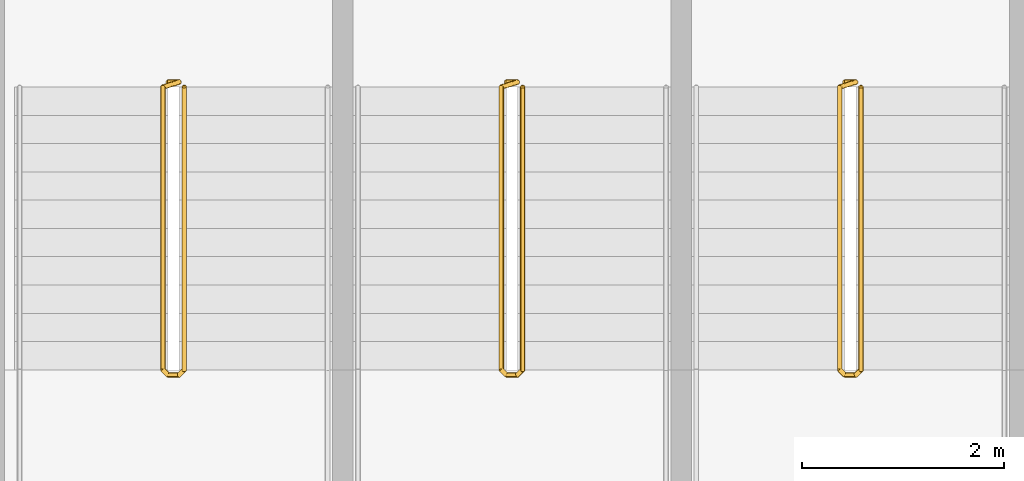
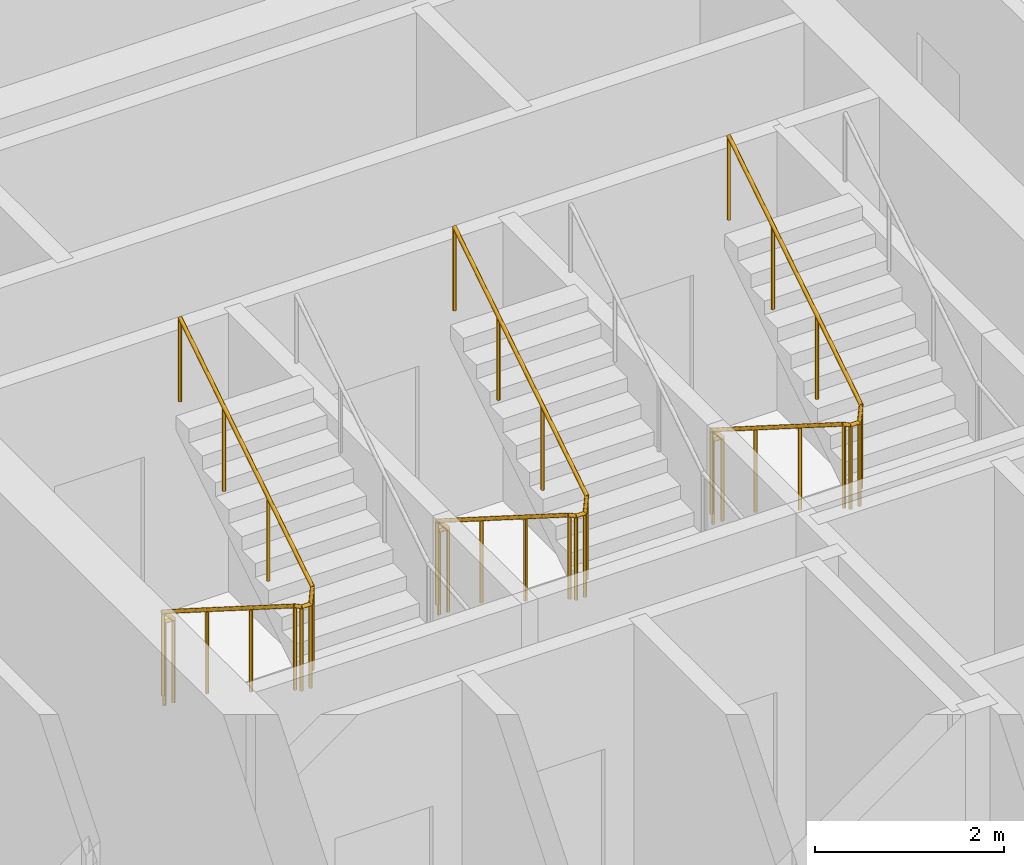
# One storey, part 13 of 13: 3 railings.
"""IFC4 building model written with IfcOpenShell, lengths in metres."""

from ifc_helpers import new_model, si_unit, direction, frame, origin, origin_2d, place, context, subcontext, project, spatial, circle, extrude, material, type_object, element, save


model = new_model("IFC4")

# Units and contexts
model_context = context("Model", 3, precision=1e-05, world=origin(), true_north=direction((0.0, 1.0)))
body_context = subcontext(model_context, "Body", "Model", "MODEL_VIEW")
ifc_project = project(units=[si_unit("LENGTHUNIT", "METRE"), si_unit("AREAUNIT", "SQUARE_METRE"), si_unit("VOLUMEUNIT", "CUBIC_METRE"), si_unit("PLANEANGLEUNIT", "RADIAN"), si_unit("MASSUNIT", "GRAM", prefix="KILO")], contexts=[model_context])

# Site, building, storey
site_placement = place(None, origin())
site = spatial("IfcSite", under=ifc_project, at=site_placement, CompositionType="ELEMENT")
building_placement = place(site_placement, origin())
building = spatial("IfcBuilding", under=site, at=building_placement, Name="Tessera Arch", CompositionType="ELEMENT")
storey_placement = place(building_placement, frame((0.0, 0.0, 162.199951171875)))
storey = spatial("IfcBuildingStorey", under=building, at=storey_placement, Name="L38", CompositionType="ELEMENT", Elevation=162.199951171875)

# Railings
ifc_material = material(Name="Painted steel balustrade", Category="steel")
railing_type = type_object("IfcRailingType", Name="Stair guard 1100", PredefinedType="GUARDRAIL", material=ifc_material)
railing_1_placement = place(storey_placement, frame((38.219970703125, 43.6298828125, 0.0)))
element("IfcRailing", 1, at=railing_1_placement, inside=storey, type_object=railing_type, Name="L38 S1a stair guard 1", PredefinedType="GUARDRAIL", context=body_context, shape_type="SweptSolid", body=[
    extrude(circle(Radius=0.02392578125, at=origin_2d()), frame((-0.00390625, 0.0, 1.076171875), z_axis=(1.0, 0.0, 0.0), x_axis=(0.0, 1.0, 0.0)), (0.0, 0.0, 1.0), 0.1181640625),
    extrude(circle(Radius=0.02392578125, at=origin_2d()), frame((0.11279296875, 0.000732421875, 1.0732421875), z_axis=(-0.656319048605, -0.204099216335, 0.726353093426), x_axis=(0.296948579431, -0.954893471113, 0.0)), (0.0, 0.0, 1.0), 0.251953125),
    extrude(circle(Radius=0.02392578125, at=origin_2d()), frame((-0.050048828125, -0.04638671875, 1.251220703125), z_axis=(0.0, -0.844908973607, 0.534910110503), x_axis=(1.0, 0.0, 0.0)), (0.0, 0.0, 1.0), 3.322021484375),
    extrude(circle(Radius=0.02392578125, at=origin_2d()), frame((-0.052978515625, -2.846923828125, 3.02587890625), z_axis=(0.707106781187, -0.707106781187, 0.0), x_axis=(0.707106781187, 0.707106781187, 0.0)), (0.0, 0.0, 1.0), 0.078857421875),
    extrude(circle(Radius=0.02392578125, at=origin_2d()), frame((-0.00390625, -2.89990234375, 3.02587890625), z_axis=(1.0, 0.0, 0.0), x_axis=(0.0, 1.0, 0.0)), (0.0, 0.0, 1.0), 0.1181640625),
    extrude(circle(Radius=0.02392578125, at=origin_2d()), frame((0.109130859375, -2.90087890625, 3.022216796875), z_axis=(0.260731885961, 0.262009983441, 0.929176868105), x_axis=(-0.708833529934, 0.705375805398, 0.0)), (0.0, 0.0, 1.0), 0.198974609375),
    extrude(circle(Radius=0.02392578125, at=origin_2d()), frame((0.159912109375, -2.853271484375, 3.201416015625), z_axis=(0.0, 0.844908973607, 0.534910110503), x_axis=(-1.0, 0.0, 0.0)), (0.0, 0.0, 1.0), 3.322021484375),
    extrude(circle(Radius=0.02099609375, at=origin_2d()), origin(), (0.0, 0.0, 1.0), 1.06396484375),
    extrude(circle(Radius=0.02099609375, at=origin_2d()), frame((0.110107421875, 0.0, 0.0)), (0.0, 0.0, 1.0), 1.06396484375),
    extrude(circle(Radius=0.02099609375, at=origin_2d()), frame((-0.050048828125, -0.0498046875, 0.17724609375)), (0.0, 0.0, 1.0), 1.06396484375),
    extrude(circle(Radius=0.02099609375, at=origin_2d()), frame((-0.050048828125, -0.983154296875, 0.76806640625)), (0.0, 0.0, 1.0), 1.06396484375),
    extrude(circle(Radius=0.02099609375, at=origin_2d()), frame((-0.050048828125, -1.91650390625, 1.359130859375)), (0.0, 0.0, 1.0), 1.06396484375),
    extrude(circle(Radius=0.02099609375, at=origin_2d()), frame((-0.050048828125, -2.849853515625, 1.949951171875)), (0.0, 0.0, 1.0), 1.06396484375),
    extrude(circle(Radius=0.02099609375, at=origin_2d()), frame((0.0, -2.89990234375, 1.949951171875)), (0.0, 0.0, 1.0), 1.06396484375),
    extrude(circle(Radius=0.02099609375, at=origin_2d()), frame((0.110107421875, -2.89990234375, 1.949951171875)), (0.0, 0.0, 1.0), 1.06396484375),
    extrude(circle(Radius=0.02099609375, at=origin_2d()), frame((0.159912109375, -2.849853515625, 2.12744140625)), (0.0, 0.0, 1.0), 1.06396484375),
    extrude(circle(Radius=0.02099609375, at=origin_2d()), frame((0.159912109375, -1.91650390625, 2.71826171875)), (0.0, 0.0, 1.0), 1.06396484375),
    extrude(circle(Radius=0.02099609375, at=origin_2d()), frame((0.159912109375, -0.983154296875, 3.309326171875)), (0.0, 0.0, 1.0), 1.06396484375),
    extrude(circle(Radius=0.02099609375, at=origin_2d()), frame((0.159912109375, -0.0498046875, 3.900146484375)), (0.0, 0.0, 1.0), 1.06396484375),
])
railing_2_placement = place(storey_placement, frame((41.570068359375, 43.6298828125, 0.0)))
element("IfcRailing", 2, at=railing_2_placement, inside=storey, type_object=railing_type, Name="L38 S1b stair guard 1", PredefinedType="GUARDRAIL", context=body_context, shape_type="SweptSolid", body=[
    extrude(circle(Radius=0.02392578125, at=origin_2d()), frame((-0.00390625, 0.0, 1.076171875), z_axis=(1.0, 0.0, 0.0), x_axis=(0.0, 1.0, 0.0)), (0.0, 0.0, 1.0), 0.117919921875),
    extrude(circle(Radius=0.02392578125, at=origin_2d()), frame((0.112548828125, 0.000732421875, 1.0732421875), z_axis=(-0.65574896516, -0.204233265485, 0.726830150696), x_axis=(0.297361876254, -0.954764847777, 0.0)), (0.0, 0.0, 1.0), 0.251953125),
    extrude(circle(Radius=0.02392578125, at=origin_2d()), frame((-0.050048828125, -0.04638671875, 1.251220703125), z_axis=(0.0, -0.844908973607, 0.534910110503), x_axis=(1.0, 0.0, 0.0)), (0.0, 0.0, 1.0), 3.322021484375),
    extrude(circle(Radius=0.02392578125, at=origin_2d()), frame((-0.052978515625, -2.846923828125, 3.02587890625), z_axis=(0.707106781187, -0.707106781187, 0.0), x_axis=(0.707106781187, 0.707106781187, 0.0)), (0.0, 0.0, 1.0), 0.078857421875),
    extrude(circle(Radius=0.02392578125, at=origin_2d()), frame((-0.00390625, -2.89990234375, 3.02587890625), z_axis=(1.0, 0.0, 0.0), x_axis=(0.0, 1.0, 0.0)), (0.0, 0.0, 1.0), 0.117919921875),
    extrude(circle(Radius=0.02392578125, at=origin_2d()), frame((0.10888671875, -2.90087890625, 3.022216796875), z_axis=(0.261922500866, 0.261922500866, 0.928866625022), x_axis=(-0.707106781187, 0.707106781187, 0.0)), (0.0, 0.0, 1.0), 0.198974609375),
    extrude(circle(Radius=0.02392578125, at=origin_2d()), frame((0.159912109375, -2.853271484375, 3.201416015625), z_axis=(0.0, 0.844908973607, 0.534910110503), x_axis=(-1.0, 0.0, 0.0)), (0.0, 0.0, 1.0), 3.322021484375),
    extrude(circle(Radius=0.02099609375, at=origin_2d()), origin(), (0.0, 0.0, 1.0), 1.06396484375),
    extrude(circle(Radius=0.02099609375, at=origin_2d()), frame((0.10986328125, 0.0, 0.0)), (0.0, 0.0, 1.0), 1.06396484375),
    extrude(circle(Radius=0.02099609375, at=origin_2d()), frame((-0.050048828125, -0.0498046875, 0.17724609375)), (0.0, 0.0, 1.0), 1.06396484375),
    extrude(circle(Radius=0.02099609375, at=origin_2d()), frame((-0.050048828125, -0.983154296875, 0.76806640625)), (0.0, 0.0, 1.0), 1.06396484375),
    extrude(circle(Radius=0.02099609375, at=origin_2d()), frame((-0.050048828125, -1.91650390625, 1.359130859375)), (0.0, 0.0, 1.0), 1.06396484375),
    extrude(circle(Radius=0.02099609375, at=origin_2d()), frame((-0.050048828125, -2.849853515625, 1.949951171875)), (0.0, 0.0, 1.0), 1.06396484375),
    extrude(circle(Radius=0.02099609375, at=origin_2d()), frame((0.0, -2.89990234375, 1.949951171875)), (0.0, 0.0, 1.0), 1.06396484375),
    extrude(circle(Radius=0.02099609375, at=origin_2d()), frame((0.10986328125, -2.89990234375, 1.949951171875)), (0.0, 0.0, 1.0), 1.06396484375),
    extrude(circle(Radius=0.02099609375, at=origin_2d()), frame((0.159912109375, -2.849853515625, 2.12744140625)), (0.0, 0.0, 1.0), 1.06396484375),
    extrude(circle(Radius=0.02099609375, at=origin_2d()), frame((0.159912109375, -1.91650390625, 2.71826171875)), (0.0, 0.0, 1.0), 1.06396484375),
    extrude(circle(Radius=0.02099609375, at=origin_2d()), frame((0.159912109375, -0.983154296875, 3.309326171875)), (0.0, 0.0, 1.0), 1.06396484375),
    extrude(circle(Radius=0.02099609375, at=origin_2d()), frame((0.159912109375, -0.0498046875, 3.900146484375)), (0.0, 0.0, 1.0), 1.06396484375),
])
railing_3_placement = place(storey_placement, frame((44.919921875, 43.6298828125, 0.0)))
element("IfcRailing", 3, at=railing_3_placement, inside=storey, type_object=railing_type, Name="L38 S1c stair guard 1", PredefinedType="GUARDRAIL", context=body_context, shape_type="SweptSolid", body=[
    extrude(circle(Radius=0.02392578125, at=origin_2d()), frame((-0.00390625, 0.0, 1.076171875), z_axis=(1.0, 0.0, 0.0), x_axis=(0.0, 1.0, 0.0)), (0.0, 0.0, 1.0), 0.1181640625),
    extrude(circle(Radius=0.02392578125, at=origin_2d()), frame((0.11279296875, 0.000732421875, 1.0732421875), z_axis=(-0.65574896516, -0.204233265485, 0.726830150696), x_axis=(0.297361876254, -0.954764847777, 0.0)), (0.0, 0.0, 1.0), 0.251953125),
    extrude(circle(Radius=0.02392578125, at=origin_2d()), frame((-0.0498046875, -0.04638671875, 1.251220703125), z_axis=(0.0, -0.844908973607, 0.534910110503), x_axis=(1.0, 0.0, 0.0)), (0.0, 0.0, 1.0), 3.322021484375),
    extrude(circle(Radius=0.02392578125, at=origin_2d()), frame((-0.052734375, -2.846923828125, 3.02587890625), z_axis=(0.705375805398, -0.708833529934, 0.0), x_axis=(0.708833529934, 0.705375805398, 0.0)), (0.0, 0.0, 1.0), 0.07861328125),
    extrude(circle(Radius=0.02392578125, at=origin_2d()), frame((-0.00390625, -2.89990234375, 3.02587890625), z_axis=(1.0, 0.0, 0.0), x_axis=(0.0, 1.0, 0.0)), (0.0, 0.0, 1.0), 0.1181640625),
    extrude(circle(Radius=0.02392578125, at=origin_2d()), frame((0.109130859375, -2.90087890625, 3.022216796875), z_axis=(0.261922500866, 0.261922500866, 0.928866625022), x_axis=(-0.707106781187, 0.707106781187, 0.0)), (0.0, 0.0, 1.0), 0.198974609375),
    extrude(circle(Radius=0.02392578125, at=origin_2d()), frame((0.16015625, -2.853271484375, 3.201416015625), z_axis=(0.0, 0.844908973607, 0.534910110503), x_axis=(-1.0, 0.0, 0.0)), (0.0, 0.0, 1.0), 3.322021484375),
    extrude(circle(Radius=0.02099609375, at=origin_2d()), origin(), (0.0, 0.0, 1.0), 1.06396484375),
    extrude(circle(Radius=0.02099609375, at=origin_2d()), frame((0.110107421875, 0.0, 0.0)), (0.0, 0.0, 1.0), 1.06396484375),
    extrude(circle(Radius=0.02099609375, at=origin_2d()), frame((-0.0498046875, -0.0498046875, 0.17724609375)), (0.0, 0.0, 1.0), 1.06396484375),
    extrude(circle(Radius=0.02099609375, at=origin_2d()), frame((-0.0498046875, -0.983154296875, 0.76806640625)), (0.0, 0.0, 1.0), 1.06396484375),
    extrude(circle(Radius=0.02099609375, at=origin_2d()), frame((-0.0498046875, -1.91650390625, 1.359130859375)), (0.0, 0.0, 1.0), 1.06396484375),
    extrude(circle(Radius=0.02099609375, at=origin_2d()), frame((-0.0498046875, -2.849853515625, 1.949951171875)), (0.0, 0.0, 1.0), 1.06396484375),
    extrude(circle(Radius=0.02099609375, at=origin_2d()), frame((0.0, -2.89990234375, 1.949951171875)), (0.0, 0.0, 1.0), 1.06396484375),
    extrude(circle(Radius=0.02099609375, at=origin_2d()), frame((0.110107421875, -2.89990234375, 1.949951171875)), (0.0, 0.0, 1.0), 1.06396484375),
    extrude(circle(Radius=0.02099609375, at=origin_2d()), frame((0.16015625, -2.849853515625, 2.12744140625)), (0.0, 0.0, 1.0), 1.06396484375),
    extrude(circle(Radius=0.02099609375, at=origin_2d()), frame((0.16015625, -1.91650390625, 2.71826171875)), (0.0, 0.0, 1.0), 1.06396484375),
    extrude(circle(Radius=0.02099609375, at=origin_2d()), frame((0.16015625, -0.983154296875, 3.309326171875)), (0.0, 0.0, 1.0), 1.06396484375),
    extrude(circle(Radius=0.02099609375, at=origin_2d()), frame((0.16015625, -0.0498046875, 3.900146484375)), (0.0, 0.0, 1.0), 1.06396484375),
])

save(model, "model.ifc")
